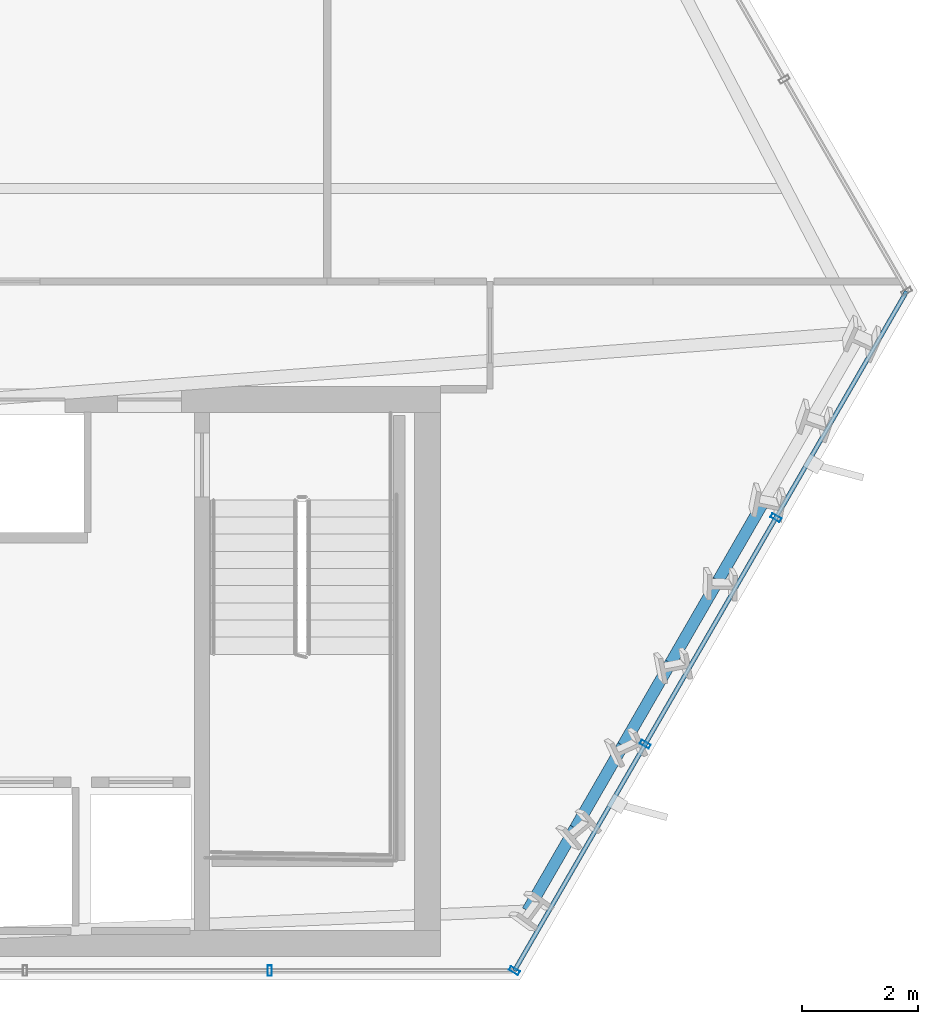
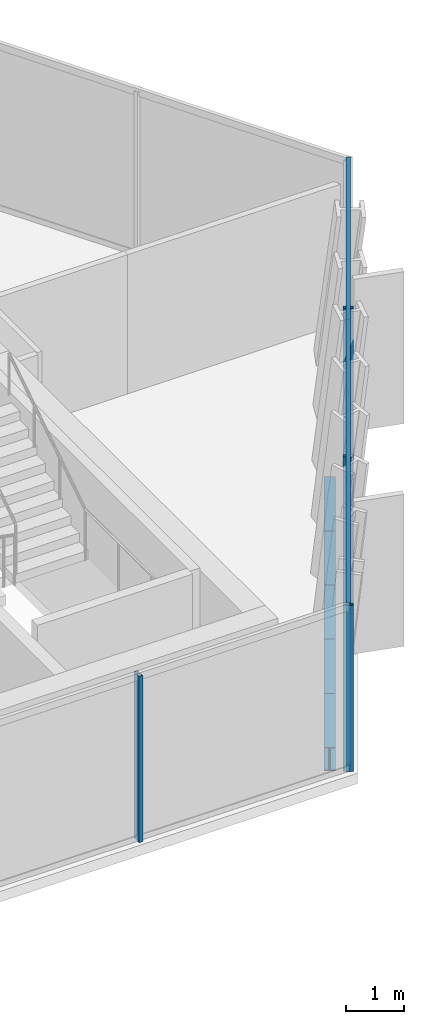
# One storey, part 15 of 31: 6 members, 5 beams, 2 elements without a shape of their own.
"""IFC4 building model written with IfcOpenShell, lengths in metres."""

from ifc_helpers import new_model, si_unit, direction, frame, origin, origin_2d, place, context, subcontext, project, spatial, hollow_rectangle, i_section, extrude, material, layer, layer_set, material_profile, profile_set, type_object, element, aggregate, save


model = new_model("IFC4")

# Units and contexts
model_context = context("Model", 3, precision=1e-05, world=origin(), true_north=direction((0.0, 1.0)))
body_context = subcontext(model_context, "Body", "Model", "MODEL_VIEW")
ifc_project = project(units=[si_unit("LENGTHUNIT", "METRE"), si_unit("AREAUNIT", "SQUARE_METRE"), si_unit("VOLUMEUNIT", "CUBIC_METRE"), si_unit("PLANEANGLEUNIT", "RADIAN"), si_unit("MASSUNIT", "GRAM", prefix="KILO")], contexts=[model_context])

# Site, building, storey
site_placement = place(None, origin())
site = spatial("IfcSite", under=ifc_project, at=site_placement, CompositionType="ELEMENT")
building_placement = place(site_placement, origin())
building = spatial("IfcBuilding", under=site, at=building_placement, Name="Ndaravel Arena Tower", CompositionType="ELEMENT")
storey_placement = place(building_placement, frame((0.0, 0.0, 108.199951171875)))
storey = spatial("IfcBuildingStorey", under=building, at=storey_placement, Name="L25", CompositionType="ELEMENT", Elevation=108.199951171875)

# Beams
ifc_material_1 = material(Name="Steel S355", Category="steel")
ifc_material_profile_1 = material_profile(ifc_material_1, i_section(OverallWidth=0.199951171875, OverallDepth=0.5, WebThickness=0.01025390625, FlangeThickness=0.01611328125, FilletRadius=0.02099609375, at=origin_2d()), Name="IPE 500")
ifc_profile_set_1 = profile_set([ifc_material_profile_1], Name="Steel S355")
beam_type = type_object("IfcBeamType", Name="BM-SPAN-IPE500", PredefinedType="SPANDREL", material=ifc_profile_set_1)
beam_1_placement = place(storey_placement, frame((59.04296875, 6.189697265625, -0.469970703125), z_axis=(0.500049196018, 0.865996998587, 0.0), x_axis=(-0.865996998587, 0.500049196018, 0.0)))
element("IfcBeam", 1, at=beam_1_placement, inside=storey, type_object=beam_type, Name="L25 Perimeter Spandrel Beam SP-02", PredefinedType="SPANDREL", context=body_context, shape_type="SweptSolid", body=[
    extrude(i_section(OverallWidth=0.199951171875, OverallDepth=0.5, WebThickness=0.01025390625, FlangeThickness=0.01611328125, FilletRadius=0.02099609375, at=origin_2d()), origin(), (0.0, 0.0, 1.0), 1.638427734375),
])
beam_2_placement = place(storey_placement, frame((59.8623046875, 7.608642578125, -0.469970703125), z_axis=(0.499984679161, 0.866034249094, 0.0), x_axis=(-0.866034249094, 0.499984679161, 0.0)))
element("IfcBeam", 2, at=beam_2_placement, inside=storey, type_object=beam_type, Name="L25 Perimeter Spandrel Beam SP-03", PredefinedType="SPANDREL", context=body_context, shape_type="SweptSolid", body=[
    extrude(i_section(OverallWidth=0.199951171875, OverallDepth=0.5, WebThickness=0.01025390625, FlangeThickness=0.01611328125, FilletRadius=0.02099609375, at=origin_2d()), origin(), (0.0, 0.0, 1.0), 1.638671875),
])
beam_3_placement = place(storey_placement, frame((60.681640625, 9.02783203125, -0.469970703125), z_axis=(0.500049196018, 0.865996998587, 0.0), x_axis=(-0.865996998587, 0.500049196018, 0.0)))
element("IfcBeam", 3, at=beam_3_placement, inside=storey, type_object=beam_type, Name="L25 Perimeter Spandrel Beam SP-04", PredefinedType="SPANDREL", context=body_context, shape_type="SweptSolid", body=[
    extrude(i_section(OverallWidth=0.199951171875, OverallDepth=0.5, WebThickness=0.01025390625, FlangeThickness=0.01611328125, FilletRadius=0.02099609375, at=origin_2d()), origin(), (0.0, 0.0, 1.0), 1.638427734375),
])
beam_4_placement = place(storey_placement, frame((61.5009765625, 10.44677734375, -0.469970703125), z_axis=(0.499984679161, 0.866034249094, 0.0), x_axis=(-0.866034249094, 0.499984679161, 0.0)))
element("IfcBeam", 4, at=beam_4_placement, inside=storey, type_object=beam_type, Name="L25 Perimeter Spandrel Beam SP-05", PredefinedType="SPANDREL", context=body_context, shape_type="SweptSolid", body=[
    extrude(i_section(OverallWidth=0.199951171875, OverallDepth=0.5, WebThickness=0.01025390625, FlangeThickness=0.01611328125, FilletRadius=0.02099609375, at=origin_2d()), origin(), (0.0, 0.0, 1.0), 1.638671875),
])
beam_5_placement = place(storey_placement, frame((62.3203125, 11.865966796875, -0.469970703125), z_axis=(0.499937439699, 0.866061519979, 0.0), x_axis=(-0.866061519979, 0.499937439699, 0.0)))
element("IfcBeam", 5, at=beam_5_placement, inside=storey, type_object=beam_type, Name="L25 Perimeter Spandrel Beam SP-06", PredefinedType="SPANDREL", context=body_context, shape_type="SweptSolid", body=[
    extrude(i_section(OverallWidth=0.199951171875, OverallDepth=0.5, WebThickness=0.01025390625, FlangeThickness=0.01611328125, FilletRadius=0.02099609375, at=origin_2d()), origin(), (0.0, 0.0, 1.0), 1.638427734375),
])

# Curtain wall, member
ifc_material_2 = material(Name="Aluminium", Category="aluminium")
ifc_layer_1 = layer(ifc_material_2, 0.179931640625)
ifc_layer_set_1 = layer_set([ifc_layer_1], Name="Aluminium")
curtain_wall_type_1 = type_object("IfcCurtainWallType", Name="CW-SYS-03", PredefinedType="NOTDEFINED", material=ifc_layer_set_1)
curtain_wall_1_placement = place(storey_placement, origin())
curtain_wall_1 = element("IfcCurtainWall", 6, at=curtain_wall_1_placement, inside=storey, type_object=curtain_wall_type_1, Name="L25 Faceted Crystal Curtain Wall CW-L25-E01", PredefinedType="NOTDEFINED")
ifc_material_3 = material(Name="Aluminium", Category="aluminium")
ifc_material_profile_2 = material_profile(ifc_material_3, hollow_rectangle(XDim=0.074951171875, YDim=0.179931640625, WallThickness=0.00390625, at=origin_2d()), Name="CW MULLION 75x180x4")
ifc_profile_set_2 = profile_set([ifc_material_profile_2], Name="Aluminium")
member_type_1 = type_object("IfcMemberType", Name="MEM-CW-MUL180", PredefinedType="MULLION", material=ifc_profile_set_2)
member_1_placement = place(storey_placement, frame((54.613525390625, 5.159912109375, 0.0), z_axis=(0.0, 0.0, 1.0), x_axis=(1.0, 0.0, 0.0)))
member_1 = element("IfcMember", 7, at=member_1_placement, type_object=member_type_1, Name="CW-L25-E01 Mullion 07", PredefinedType="MULLION", context=body_context, shape_type="SweptSolid", body=[
    extrude(hollow_rectangle(XDim=0.074951171875, YDim=0.179931640625, WallThickness=0.00390625, at=origin_2d()), origin(), (0.0, 0.0, 1.0), 3.52001953125),
])
aggregate(curtain_wall_1, [member_1])

# Curtain wall, members
ifc_material_4 = material(Name="Aluminium", Category="aluminium")
ifc_layer_2 = layer(ifc_material_4, 0.179931640625)
ifc_layer_set_2 = layer_set([ifc_layer_2], Name="Aluminium")
curtain_wall_type_2 = type_object("IfcCurtainWallType", Name="CW-SYS-01", PredefinedType="NOTDEFINED", material=ifc_layer_set_2)
curtain_wall_2_placement = place(storey_placement, origin())
curtain_wall_2 = element("IfcCurtainWall", 8, at=curtain_wall_2_placement, inside=storey, type_object=curtain_wall_type_2, Name="L25 Faceted Crystal Curtain Wall CW-L25-E02", PredefinedType="NOTDEFINED")
member_2_placement = place(storey_placement, frame((58.818115234375, 5.159912109375, 0.0), z_axis=(0.0, 0.0, 1.0), x_axis=(0.5, 0.866025403784, 0.0)))
member_2 = element("IfcMember", 9, at=member_2_placement, type_object=member_type_1, Name="CW-L25-E02 Mullion 00", PredefinedType="MULLION", context=body_context, shape_type="SweptSolid", body=[
    extrude(hollow_rectangle(XDim=0.074951171875, YDim=0.179931640625, WallThickness=0.00390625, at=origin_2d()), origin(), (0.0, 0.0, 1.0), 3.52001953125),
])
member_3_placement = place(storey_placement, frame((61.064453125, 9.05078125, 0.0), z_axis=(0.0, 0.0, 1.0), x_axis=(0.5, 0.866025403784, 0.0)))
member_3 = element("IfcMember", 10, at=member_3_placement, type_object=member_type_1, Name="CW-L25-E02 Mullion 01", PredefinedType="MULLION", context=body_context, shape_type="SweptSolid", body=[
    extrude(hollow_rectangle(XDim=0.074951171875, YDim=0.179931640625, WallThickness=0.00390625, at=origin_2d()), origin(), (0.0, 0.0, 1.0), 3.52001953125),
])
member_4_placement = place(storey_placement, frame((63.310791015625, 12.94189453125, 0.0), z_axis=(0.0, 0.0, 1.0), x_axis=(0.5, 0.866025403784, 0.0)))
member_4 = element("IfcMember", 11, at=member_4_placement, type_object=member_type_1, Name="CW-L25-E02 Mullion 02", PredefinedType="MULLION", context=body_context, shape_type="SweptSolid", body=[
    extrude(hollow_rectangle(XDim=0.074951171875, YDim=0.179931640625, WallThickness=0.00390625, at=origin_2d()), origin(), (0.0, 0.0, 1.0), 3.52001953125),
])
ifc_material_5 = material(Name="Aluminium", Category="aluminium")
ifc_material_profile_3 = material_profile(ifc_material_5, hollow_rectangle(XDim=0.074951171875, YDim=0.14990234375, WallThickness=0.00390625, at=origin_2d()), Name="CW TRANSOM 75x150x4")
ifc_profile_set_3 = profile_set([ifc_material_profile_3], Name="Aluminium")
member_type_2 = type_object("IfcMemberType", Name="MEM-CW-TRN150", PredefinedType="USERDEFINED", material=ifc_profile_set_3)
member_5_placement = place(storey_placement, frame((58.818115234375, 5.159912109375, 0.0400390625), z_axis=(0.499996317533, 0.866027529847, 0.0), x_axis=(-0.866027529847, 0.499996317533, 0.0)))
member_5 = element("IfcMember", 12, at=member_5_placement, type_object=member_type_2, Name="CW-L25-E02 Transom 01", ObjectType="TRANSOM", PredefinedType="USERDEFINED", context=body_context, shape_type="SweptSolid", body=[
    extrude(hollow_rectangle(XDim=0.074951171875, YDim=0.14990234375, WallThickness=0.00390625, at=origin_2d()), origin(), (0.0, 0.0, 1.0), 13.478515625),
])
member_6_placement = place(storey_placement, frame((58.818115234375, 5.159912109375, 3.47998046875), z_axis=(0.499996317533, 0.866027529847, 0.0), x_axis=(-0.866027529847, 0.499996317533, 0.0)))
member_6 = element("IfcMember", 13, at=member_6_placement, type_object=member_type_2, Name="CW-L25-E02 Transom 02", ObjectType="TRANSOM", PredefinedType="USERDEFINED", context=body_context, shape_type="SweptSolid", body=[
    extrude(hollow_rectangle(XDim=0.074951171875, YDim=0.14990234375, WallThickness=0.00390625, at=origin_2d()), origin(), (0.0, 0.0, 1.0), 13.478515625),
])
aggregate(curtain_wall_2, [member_2, member_3, member_4, member_5, member_6])

save(model, "model.ifc")
